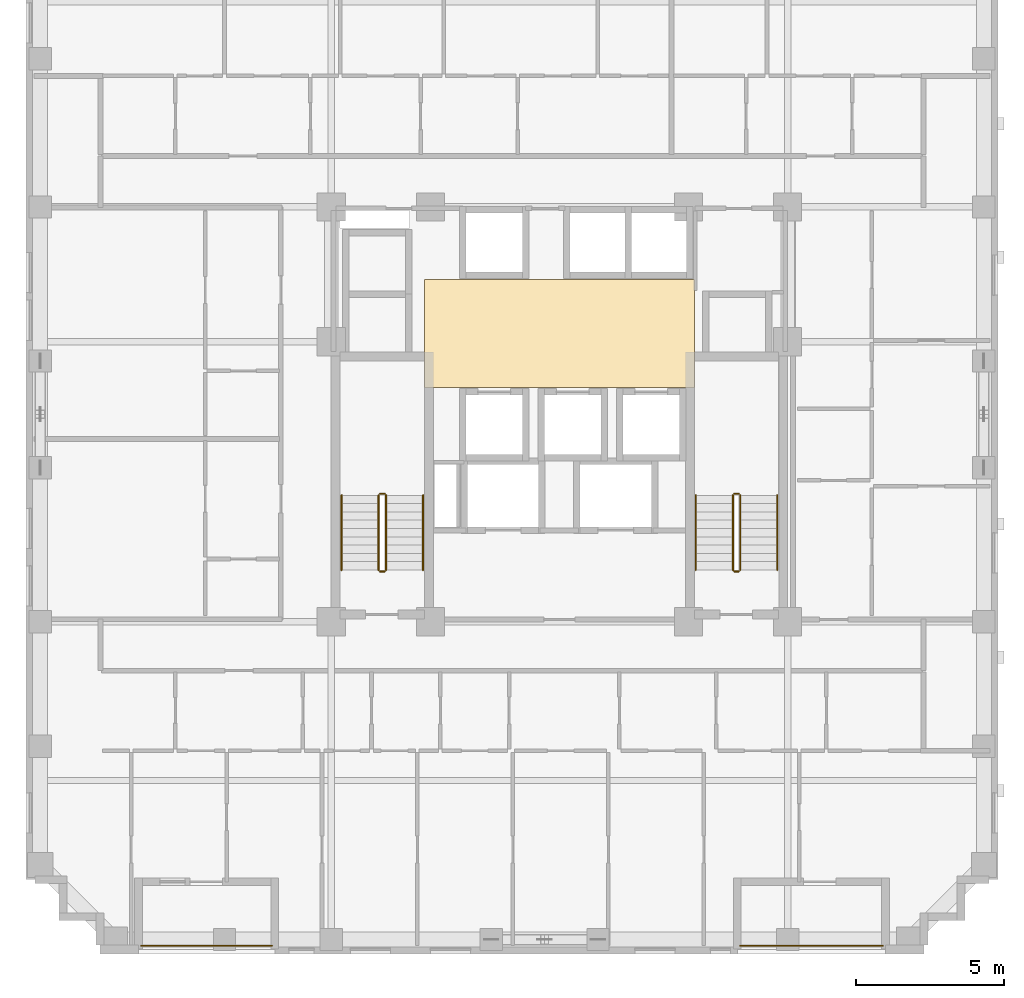
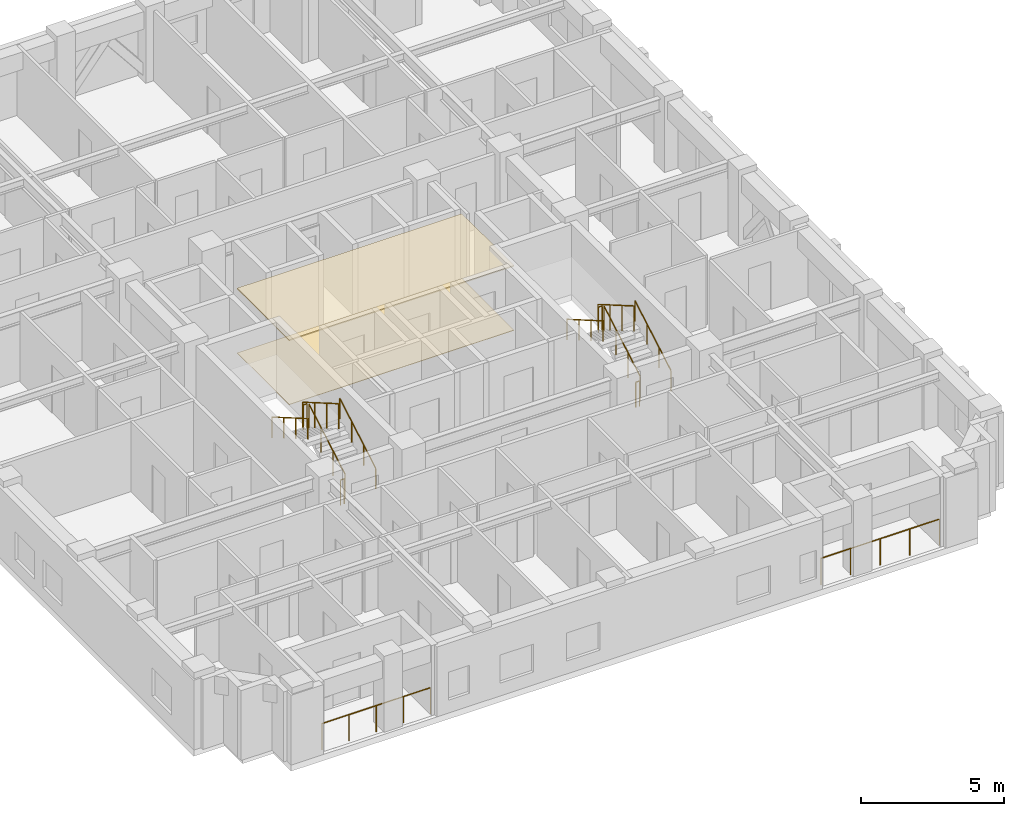
# One storey, part 11 of 12: 14 railings, 2 coverings.
"""IFC4 building model written with IfcOpenShell, lengths in metres."""

from ifc_helpers import new_model, si_unit, derived_unit, direction, frame, origin, origin_2d, place, context, subcontext, project, spatial, polyline, circle, outline, extrude, material, layer, layer_set, type_object, element, save


model = new_model("IFC4")

# Units and contexts
model_context = context("Model", 3, precision=1e-05, world=origin(), true_north=direction((0.0, 1.0)))
body_context = subcontext(model_context, "Body", "Model", "MODEL_VIEW")
ifc_project = project(units=[si_unit("LENGTHUNIT", "METRE"), si_unit("AREAUNIT", "SQUARE_METRE"), si_unit("VOLUMEUNIT", "CUBIC_METRE"), si_unit("PLANEANGLEUNIT", "RADIAN"), si_unit("MASSUNIT", "GRAM", prefix="KILO"), derived_unit("THERMALTRANSMITTANCEUNIT", [(si_unit("MASSUNIT", "GRAM", prefix="KILO"), 1), (si_unit("TIMEUNIT", "SECOND"), -3), (si_unit("THERMODYNAMICTEMPERATUREUNIT", "KELVIN"), -1)])], contexts=[model_context])

# Site, building, storey
site_placement = place(None, origin())
site = spatial("IfcSite", under=ifc_project, at=site_placement, CompositionType="ELEMENT")
building_placement = place(site_placement, origin())
building = spatial("IfcBuilding", under=site, at=building_placement, Name="Korrvale Station Residences", CompositionType="ELEMENT")
storey_placement = place(building_placement, frame((0.0, 0.0, 127.64990234375)))
storey = spatial("IfcBuildingStorey", under=building, at=storey_placement, Name="L36", CompositionType="ELEMENT", Elevation=127.64990234375)

# Coverings
ifc_material_1 = material(Name="Perforated acoustic mineral-fibre suspended ceiling", Category="gypsum")
ifc_layer_1 = layer(ifc_material_1, 0.050048828125, Name="Perforated acoustic mineral-fibre suspended ceiling")
ifc_layer_set_1 = layer_set([ifc_layer_1], Name="Perforated acoustic mineral-fibre suspended ceiling")
covering_type_1 = type_object("IfcCoveringType", Name="COV-CLG-AC60", PredefinedType="CEILING", material=ifc_layer_set_1)
covering_1_placement = place(storey_placement, frame((0.0, 0.0, 2.739990234375)))
element("IfcCovering", 1, at=covering_1_placement, inside=storey, type_object=covering_type_1, Name="L36 Elevator Lobby Acoustic Ceiling", PredefinedType="CEILING", context=body_context, shape_type="SweptSolid", body=[
    extrude(outline(polyline([(20.949951171875, 22.89990234375), (30.050048828125, 22.89990234375), (30.050048828125, 26.550048828125), (20.949951171875, 26.550048828125), (20.949951171875, 22.89990234375)])), origin(), (0.0, 0.0, 1.0), 0.050048828125),
])
ifc_material_2 = material(Name="Polished quartz-terrazzo lobby flooring", Category="masonry")
ifc_layer_2 = layer(ifc_material_2, 0.02001953125, Name="Polished quartz-terrazzo lobby flooring")
ifc_layer_set_2 = layer_set([ifc_layer_2], Name="Polished quartz-terrazzo lobby flooring")
covering_type_2 = type_object("IfcCoveringType", Name="COV-FLR-TER20", PredefinedType="FLOORING", material=ifc_layer_set_2)
covering_2_placement = place(storey_placement, origin())
element("IfcCovering", 2, at=covering_2_placement, inside=storey, type_object=covering_type_2, Name="L36 Elevator Lobby Terrazzo Flooring", PredefinedType="FLOORING", context=body_context, shape_type="SweptSolid", body=[
    extrude(outline(polyline([(20.949951171875, 22.89990234375), (30.050048828125, 22.89990234375), (30.050048828125, 26.550048828125), (20.949951171875, 26.550048828125), (20.949951171875, 22.89990234375)])), origin(), (0.0, 0.0, 1.0), 0.02001953125),
])

# Railings
ifc_material_3 = material(Name="Powder-coated aluminium picket loggia guard", Category="aluminium")
railing_type_1 = type_object("IfcRailingType", Name="RLG-BAL-1150", PredefinedType="GUARDRAIL", material=ifc_material_3)
railing_1_placement = place(storey_placement, frame((31.60009765625, 4.070068359375, 0.0)))
element("IfcRailing", 3, at=railing_1_placement, inside=storey, type_object=railing_type_1, Name="L36 Recessed Loggia Guardrail BAL-L36-S2", PredefinedType="GUARDRAIL", context=body_context, shape_type="SweptSolid", body=[
    extrude(circle(Radius=0.02392578125, at=origin_2d()), frame((0.0, 0.0, 1.1259765625), z_axis=(1.0, 0.0, 0.0), x_axis=(0.0, 1.0, 0.0)), (0.0, 0.0, 1.0), 4.7998046875),
    extrude(circle(Radius=0.02099609375, at=origin_2d()), origin(), (0.0, 0.0, 1.0), 1.101806640625),
    extrude(circle(Radius=0.02099609375, at=origin_2d()), frame((1.199951171875, 0.0, 0.0)), (0.0, 0.0, 1.0), 1.101806640625),
    extrude(circle(Radius=0.02099609375, at=origin_2d()), frame((2.39990234375, 0.0, 0.0)), (0.0, 0.0, 1.0), 1.101806640625),
    extrude(circle(Radius=0.02099609375, at=origin_2d()), frame((3.599853515625, 0.0, 0.0)), (0.0, 0.0, 1.0), 1.101806640625),
    extrude(circle(Radius=0.02099609375, at=origin_2d()), frame((4.7998046875, 0.0, 0.0)), (0.0, 0.0, 1.0), 1.101806640625),
])
railing_2_placement = place(storey_placement, frame((11.39990234375, 4.070068359375, 0.0)))
element("IfcRailing", 4, at=railing_2_placement, inside=storey, type_object=railing_type_1, Name="L36 Recessed Loggia Guardrail BAL-L36-S1", PredefinedType="GUARDRAIL", context=body_context, shape_type="SweptSolid", body=[
    extrude(circle(Radius=0.02392578125, at=origin_2d()), frame((0.0, 0.0, 1.1259765625), z_axis=(1.0, 0.0, 0.0), x_axis=(0.0, 1.0, 0.0)), (0.0, 0.0, 1.0), 4.400146484375),
    extrude(circle(Radius=0.02099609375, at=origin_2d()), origin(), (0.0, 0.0, 1.0), 1.101806640625),
    extrude(circle(Radius=0.02099609375, at=origin_2d()), frame((1.10009765625, 0.0, 0.0)), (0.0, 0.0, 1.0), 1.101806640625),
    extrude(circle(Radius=0.02099609375, at=origin_2d()), frame((2.2001953125, 0.0, 0.0)), (0.0, 0.0, 1.0), 1.101806640625),
    extrude(circle(Radius=0.02099609375, at=origin_2d()), frame((3.300048828125, 0.0, 0.0)), (0.0, 0.0, 1.0), 1.101806640625),
    extrude(circle(Radius=0.02099609375, at=origin_2d()), frame((4.400146484375, 0.0, 0.0)), (0.0, 0.0, 1.0), 1.101806640625),
])
ifc_material_4 = material(Name="Brushed stainless-steel continuous stair handrail", Category="steel")
railing_type_2 = type_object("IfcRailingType", Name="RLG-SHND-900", PredefinedType="HANDRAIL", material=ifc_material_4)
railing_3_placement = place(storey_placement, frame((20.89990234375, 16.75, 0.16259765625)))
element("IfcRailing", 5, at=railing_3_placement, inside=storey, type_object=railing_type_2, Name="L36 ST-1 stair handrail 1", PredefinedType="HANDRAIL", context=body_context, shape_type="SweptSolid", body=[
    extrude(circle(Radius=0.02392578125, at=origin_2d()), frame((0.0, 0.0, 0.8759765625), z_axis=(0.0, 0.864913338283, 0.50192122615), x_axis=(-1.0, 0.0, 0.0)), (0.0, 0.0, 1.0), 2.91357421875),
    extrude(circle(Radius=0.02099609375, at=origin_2d()), origin(), (0.0, 0.0, 1.0), 0.851806640625),
    extrude(circle(Radius=0.02099609375, at=origin_2d()), frame((0.0, 0.840087890625, 0.487548828125)), (0.0, 0.0, 1.0), 0.851806640625),
    extrude(circle(Radius=0.02099609375, at=origin_2d()), frame((0.0, 1.679931640625, 0.974853515625)), (0.0, 0.0, 1.0), 0.851806640625),
    extrude(circle(Radius=0.02099609375, at=origin_2d()), frame((0.0, 2.52001953125, 1.46240234375)), (0.0, 0.0, 1.0), 0.851806640625),
])
railing_4_placement = place(storey_placement, frame((18.14990234375, 19.27001953125, 1.78759765625)))
element("IfcRailing", 6, at=railing_4_placement, inside=storey, type_object=railing_type_2, Name="L36 ST-1 stair handrail 2", PredefinedType="HANDRAIL", context=body_context, shape_type="SweptSolid", body=[
    extrude(circle(Radius=0.02392578125, at=origin_2d()), frame((0.0, 0.0, 0.8759765625), z_axis=(0.0, -0.864913338283, 0.50192122615), x_axis=(1.0, 0.0, 0.0)), (0.0, 0.0, 1.0), 2.91357421875),
    extrude(circle(Radius=0.02099609375, at=origin_2d()), origin(), (0.0, 0.0, 1.0), 0.851806640625),
    extrude(circle(Radius=0.02099609375, at=origin_2d()), frame((0.0, -0.840087890625, 0.487548828125)), (0.0, 0.0, 1.0), 0.851806640625),
    extrude(circle(Radius=0.02099609375, at=origin_2d()), frame((0.0, -1.679931640625, 0.974853515625)), (0.0, 0.0, 1.0), 0.851806640625),
    extrude(circle(Radius=0.02099609375, at=origin_2d()), frame((0.0, -2.52001953125, 1.46240234375)), (0.0, 0.0, 1.0), 0.851806640625),
])
railing_5_placement = place(storey_placement, frame((32.85009765625, 16.75, 0.16259765625)))
element("IfcRailing", 7, at=railing_5_placement, inside=storey, type_object=railing_type_2, Name="L36 ST-2 stair handrail 1", PredefinedType="HANDRAIL", context=body_context, shape_type="SweptSolid", body=[
    extrude(circle(Radius=0.02392578125, at=origin_2d()), frame((0.0, 0.0, 0.8759765625), z_axis=(0.0, 0.864913338283, 0.50192122615), x_axis=(-1.0, 0.0, 0.0)), (0.0, 0.0, 1.0), 2.91357421875),
    extrude(circle(Radius=0.02099609375, at=origin_2d()), origin(), (0.0, 0.0, 1.0), 0.851806640625),
    extrude(circle(Radius=0.02099609375, at=origin_2d()), frame((0.0, 0.840087890625, 0.487548828125)), (0.0, 0.0, 1.0), 0.851806640625),
    extrude(circle(Radius=0.02099609375, at=origin_2d()), frame((0.0, 1.679931640625, 0.974853515625)), (0.0, 0.0, 1.0), 0.851806640625),
    extrude(circle(Radius=0.02099609375, at=origin_2d()), frame((0.0, 2.52001953125, 1.46240234375)), (0.0, 0.0, 1.0), 0.851806640625),
])
railing_6_placement = place(storey_placement, frame((30.10009765625, 19.27001953125, 1.78759765625)))
element("IfcRailing", 8, at=railing_6_placement, inside=storey, type_object=railing_type_2, Name="L36 ST-2 stair handrail 2", PredefinedType="HANDRAIL", context=body_context, shape_type="SweptSolid", body=[
    extrude(circle(Radius=0.02392578125, at=origin_2d()), frame((0.0, 0.0, 0.8759765625), z_axis=(0.0, -0.864913338283, 0.50192122615), x_axis=(1.0, 0.0, 0.0)), (0.0, 0.0, 1.0), 2.91357421875),
    extrude(circle(Radius=0.02099609375, at=origin_2d()), origin(), (0.0, 0.0, 1.0), 0.851806640625),
    extrude(circle(Radius=0.02099609375, at=origin_2d()), frame((0.0, -0.840087890625, 0.487548828125)), (0.0, 0.0, 1.0), 0.851806640625),
    extrude(circle(Radius=0.02099609375, at=origin_2d()), frame((0.0, -1.679931640625, 0.974853515625)), (0.0, 0.0, 1.0), 0.851806640625),
    extrude(circle(Radius=0.02099609375, at=origin_2d()), frame((0.0, -2.52001953125, 1.46240234375)), (0.0, 0.0, 1.0), 0.851806640625),
])
ifc_material_5 = material(Name="Galvanised painted tubular steel stair guard", Category="steel")
railing_type_3 = type_object("IfcRailingType", Name="RLG-STR-1100", PredefinedType="GUARDRAIL", material=ifc_material_5)
railing_7_placement = place(storey_placement, frame((19.64990234375, 16.75, 0.16259765625)))
element("IfcRailing", 9, at=railing_7_placement, inside=storey, type_object=railing_type_3, Name="L36 ST-1 stair guard 1", PredefinedType="GUARDRAIL", context=body_context, shape_type="SweptSolid", body=[
    extrude(circle(Radius=0.02392578125, at=origin_2d()), frame((0.0, 0.0, 1.076171875), z_axis=(0.0, 0.864913338283, 0.50192122615), x_axis=(-1.0, 0.0, 0.0)), (0.0, 0.0, 1.0), 2.91357421875),
    extrude(circle(Radius=0.02099609375, at=origin_2d()), origin(), (0.0, 0.0, 1.0), 1.052001953125),
    extrude(circle(Radius=0.02099609375, at=origin_2d()), frame((0.0, 0.840087890625, 0.487548828125)), (0.0, 0.0, 1.0), 1.052001953125),
    extrude(circle(Radius=0.02099609375, at=origin_2d()), frame((0.0, 1.679931640625, 0.974853515625)), (0.0, 0.0, 1.0), 1.052001953125),
    extrude(circle(Radius=0.02099609375, at=origin_2d()), frame((0.0, 2.52001953125, 1.46240234375)), (0.0, 0.0, 1.0), 1.052001953125),
])
railing_8_placement = place(storey_placement, frame((19.60009765625, 19.320068359375, 1.625)))
element("IfcRailing", 10, at=railing_8_placement, inside=storey, type_object=railing_type_3, Name="L36 ST-1 stair guard 2", PredefinedType="GUARDRAIL", context=body_context, shape_type="SweptSolid", body=[
    extrude(circle(Radius=0.02392578125, at=origin_2d()), frame((0.0, 0.0, 1.076171875), z_axis=(-1.0, 0.0, 0.0), x_axis=(0.0, -1.0, 0.0)), (0.0, 0.0, 1.0), 0.150146484375),
    extrude(circle(Radius=0.02099609375, at=origin_2d()), origin(), (0.0, 0.0, 1.0), 1.052001953125),
    extrude(circle(Radius=0.02099609375, at=origin_2d()), frame((-0.150146484375, 0.0, 0.0)), (0.0, 0.0, 1.0), 1.052001953125),
])
railing_9_placement = place(storey_placement, frame((19.39990234375, 19.27001953125, 1.78759765625)))
element("IfcRailing", 11, at=railing_9_placement, inside=storey, type_object=railing_type_3, Name="L36 ST-1 stair guard 3", PredefinedType="GUARDRAIL", context=body_context, shape_type="SweptSolid", body=[
    extrude(circle(Radius=0.02392578125, at=origin_2d()), frame((0.0, 0.0, 1.076171875), z_axis=(0.0, -0.864913338283, 0.50192122615), x_axis=(1.0, 0.0, 0.0)), (0.0, 0.0, 1.0), 2.91357421875),
    extrude(circle(Radius=0.02099609375, at=origin_2d()), origin(), (0.0, 0.0, 1.0), 1.052001953125),
    extrude(circle(Radius=0.02099609375, at=origin_2d()), frame((0.0, -0.840087890625, 0.487548828125)), (0.0, 0.0, 1.0), 1.052001953125),
    extrude(circle(Radius=0.02099609375, at=origin_2d()), frame((0.0, -1.679931640625, 0.974853515625)), (0.0, 0.0, 1.0), 1.052001953125),
    extrude(circle(Radius=0.02099609375, at=origin_2d()), frame((0.0, -2.52001953125, 1.46240234375)), (0.0, 0.0, 1.0), 1.052001953125),
])
railing_10_placement = place(storey_placement, frame((19.60009765625, 16.699951171875, 0.0)))
element("IfcRailing", 12, at=railing_10_placement, inside=storey, type_object=railing_type_3, Name="L36 ST-1 stair guard 4", PredefinedType="GUARDRAIL", context=body_context, shape_type="SweptSolid", body=[
    extrude(circle(Radius=0.02392578125, at=origin_2d()), frame((0.0, 0.0, 1.076171875), z_axis=(-1.0, 0.0, 0.0), x_axis=(0.0, -1.0, 0.0)), (0.0, 0.0, 1.0), 0.150146484375),
    extrude(circle(Radius=0.02099609375, at=origin_2d()), origin(), (0.0, 0.0, 1.0), 1.052001953125),
    extrude(circle(Radius=0.02099609375, at=origin_2d()), frame((-0.150146484375, 0.0, 0.0)), (0.0, 0.0, 1.0), 1.052001953125),
])
railing_11_placement = place(storey_placement, frame((31.60009765625, 16.75, 0.16259765625)))
element("IfcRailing", 13, at=railing_11_placement, inside=storey, type_object=railing_type_3, Name="L36 ST-2 stair guard 1", PredefinedType="GUARDRAIL", context=body_context, shape_type="SweptSolid", body=[
    extrude(circle(Radius=0.02392578125, at=origin_2d()), frame((0.0, 0.0, 1.076171875), z_axis=(0.0, 0.864913338283, 0.50192122615), x_axis=(-1.0, 0.0, 0.0)), (0.0, 0.0, 1.0), 2.91357421875),
    extrude(circle(Radius=0.02099609375, at=origin_2d()), origin(), (0.0, 0.0, 1.0), 1.052001953125),
    extrude(circle(Radius=0.02099609375, at=origin_2d()), frame((0.0, 0.840087890625, 0.487548828125)), (0.0, 0.0, 1.0), 1.052001953125),
    extrude(circle(Radius=0.02099609375, at=origin_2d()), frame((0.0, 1.679931640625, 0.974853515625)), (0.0, 0.0, 1.0), 1.052001953125),
    extrude(circle(Radius=0.02099609375, at=origin_2d()), frame((0.0, 2.52001953125, 1.46240234375)), (0.0, 0.0, 1.0), 1.052001953125),
])
railing_12_placement = place(storey_placement, frame((31.550048828125, 19.320068359375, 1.625)))
element("IfcRailing", 14, at=railing_12_placement, inside=storey, type_object=railing_type_3, Name="L36 ST-2 stair guard 2", PredefinedType="GUARDRAIL", context=body_context, shape_type="SweptSolid", body=[
    extrude(circle(Radius=0.02392578125, at=origin_2d()), frame((0.0, 0.0, 1.076171875), z_axis=(-1.0, 0.0, 0.0), x_axis=(0.0, -1.0, 0.0)), (0.0, 0.0, 1.0), 0.150146484375),
    extrude(circle(Radius=0.02099609375, at=origin_2d()), origin(), (0.0, 0.0, 1.0), 1.052001953125),
    extrude(circle(Radius=0.02099609375, at=origin_2d()), frame((-0.150146484375, 0.0, 0.0)), (0.0, 0.0, 1.0), 1.052001953125),
])
railing_13_placement = place(storey_placement, frame((31.35009765625, 19.27001953125, 1.78759765625)))
element("IfcRailing", 15, at=railing_13_placement, inside=storey, type_object=railing_type_3, Name="L36 ST-2 stair guard 3", PredefinedType="GUARDRAIL", context=body_context, shape_type="SweptSolid", body=[
    extrude(circle(Radius=0.02392578125, at=origin_2d()), frame((0.0, 0.0, 1.076171875), z_axis=(0.0, -0.864913338283, 0.50192122615), x_axis=(1.0, 0.0, 0.0)), (0.0, 0.0, 1.0), 2.91357421875),
    extrude(circle(Radius=0.02099609375, at=origin_2d()), origin(), (0.0, 0.0, 1.0), 1.052001953125),
    extrude(circle(Radius=0.02099609375, at=origin_2d()), frame((0.0, -0.840087890625, 0.487548828125)), (0.0, 0.0, 1.0), 1.052001953125),
    extrude(circle(Radius=0.02099609375, at=origin_2d()), frame((0.0, -1.679931640625, 0.974853515625)), (0.0, 0.0, 1.0), 1.052001953125),
    extrude(circle(Radius=0.02099609375, at=origin_2d()), frame((0.0, -2.52001953125, 1.46240234375)), (0.0, 0.0, 1.0), 1.052001953125),
])
railing_14_placement = place(storey_placement, frame((31.550048828125, 16.699951171875, 0.0)))
element("IfcRailing", 16, at=railing_14_placement, inside=storey, type_object=railing_type_3, Name="L36 ST-2 stair guard 4", PredefinedType="GUARDRAIL", context=body_context, shape_type="SweptSolid", body=[
    extrude(circle(Radius=0.02392578125, at=origin_2d()), frame((0.0, 0.0, 1.076171875), z_axis=(-1.0, 0.0, 0.0), x_axis=(0.0, -1.0, 0.0)), (0.0, 0.0, 1.0), 0.150146484375),
    extrude(circle(Radius=0.02099609375, at=origin_2d()), origin(), (0.0, 0.0, 1.0), 1.052001953125),
    extrude(circle(Radius=0.02099609375, at=origin_2d()), frame((-0.150146484375, 0.0, 0.0)), (0.0, 0.0, 1.0), 1.052001953125),
])

save(model, "model.ifc")
